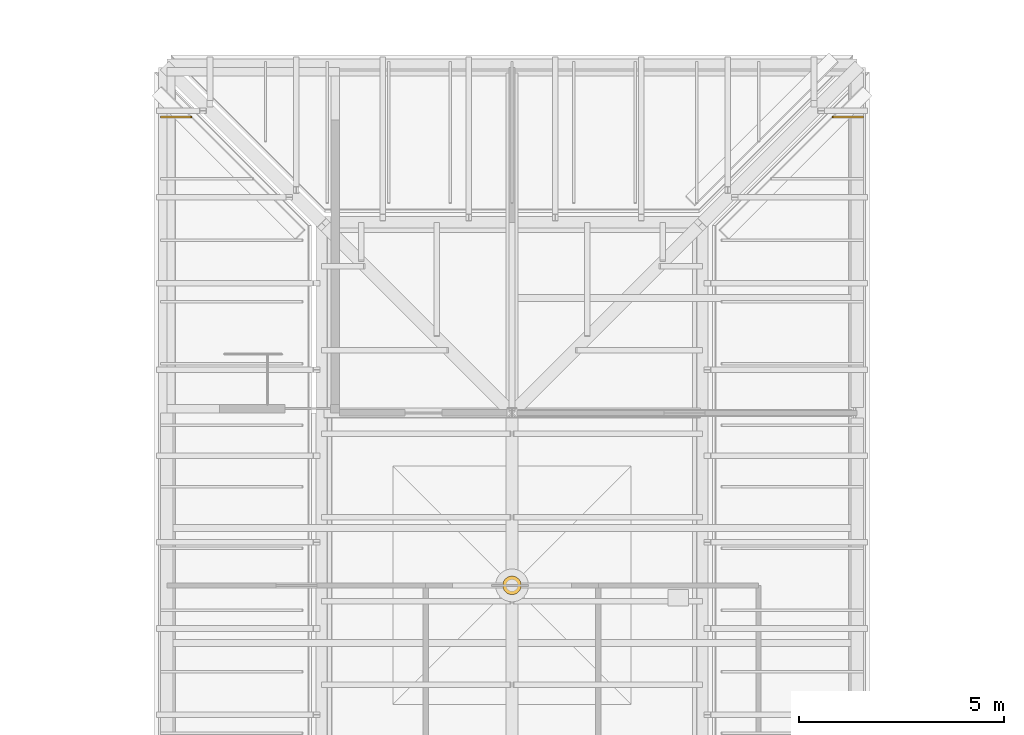
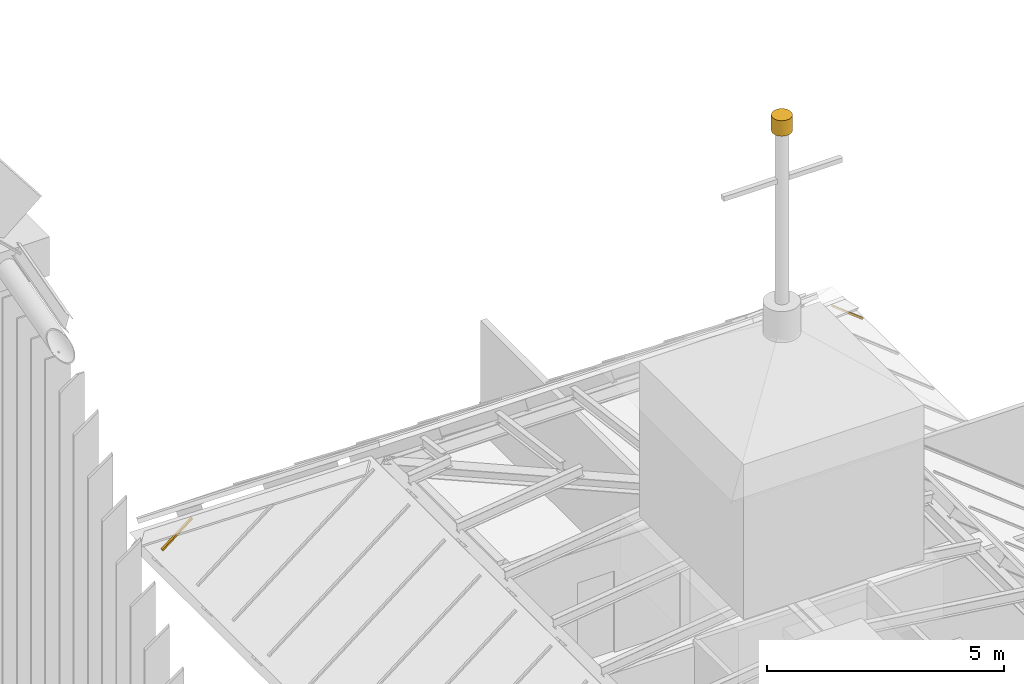
# One storey, part 124 of 126: 3 coverings.
"""IFC4 building model written with IfcOpenShell, lengths in metres."""

from ifc_helpers import new_model, si_unit, direction, frame, origin, origin_2d, place, context, subcontext, project, spatial, polyline, circle, outline, extrude, material, layer, layer_set, type_object, element, save


model = new_model("IFC4")

# Units and contexts
model_context = context("Model", 3, precision=1e-05, world=origin(), true_north=direction((0.0, 1.0)))
body_context = subcontext(model_context, "Body", "Model", "MODEL_VIEW")
ifc_project = project(units=[si_unit("LENGTHUNIT", "METRE"), si_unit("AREAUNIT", "SQUARE_METRE"), si_unit("VOLUMEUNIT", "CUBIC_METRE"), si_unit("PLANEANGLEUNIT", "RADIAN"), si_unit("MASSUNIT", "GRAM", prefix="KILO")], contexts=[model_context])

# Site, building, storey
site_placement = place(None, origin())
site = spatial("IfcSite", under=ifc_project, at=site_placement, CompositionType="ELEMENT")
building_placement = place(site_placement, origin())
building = spatial("IfcBuilding", under=site, at=building_placement, Name="Sava Quay Ferry Terminal", CompositionType="ELEMENT")
storey_placement = place(building_placement, frame((0.0, 0.0, 15.0)))
storey = spatial("IfcBuildingStorey", under=building, at=storey_placement, Name="L03", CompositionType="ELEMENT", Elevation=15.0)

# Coverings
ifc_material_1 = material(Name="Zinc standing seam")
ifc_layer_1 = layer(ifc_material_1, 0.0400390625)
ifc_layer_set_1 = layer_set([ifc_layer_1], Name="Zinc standing seam")
covering_type_1 = type_object("IfcCoveringType", Name="Roof seam rib 60", PredefinedType="ROOFING", material=ifc_layer_set_1)
covering_1_placement = place(storey_placement, frame((109.353515625, 107.969970703125, 0.635986328125), z_axis=(0.617821551932, 0.0, 0.786318338822), x_axis=(-0.786318338822, 0.0, 0.617821551932)))
element("IfcCovering", 1, at=covering_1_placement, inside=storey, type_object=covering_type_1, Name="Roof seam rib", PredefinedType="ROOFING", context=body_context, shape_type="SweptSolid", body=[
    extrude(outline(polyline([(0.0, 0.0), (0.9345620532652452, 0.0), (0.9345620532652452, -0.06005859375), (0.0, -0.06005859375), (0.0, 0.0)])), origin(), (0.0, 0.0, -1.0), 0.0400390625),
])
covering_2_placement = place(storey_placement, frame((92.246337890625, 108.030029296875, 0.635986328125), z_axis=(-0.617694660677, 0.0, 0.786418022537), x_axis=(0.786418022537, 0.0, 0.617694660677)))
element("IfcCovering", 2, at=covering_2_placement, inside=storey, type_object=covering_type_1, Name="Roof seam rib", PredefinedType="ROOFING", context=body_context, shape_type="SweptSolid", body=[
    extrude(outline(polyline([(0.0, 0.0), (0.9347540376856062, 0.0), (0.9347540376856062, -0.06005859375), (0.0, -0.06005859375), (0.0, 0.0)])), origin(), (0.0, 0.0, -1.0), 0.0400390625),
])
ifc_material_2 = material(Name="Steel S355", Category="steel")
ifc_layer_2 = layer(ifc_material_2, 0.449951171875)
ifc_layer_set_2 = layer_set([ifc_layer_2], Name="Steel S355")
covering_type_2 = type_object("IfcCoveringType", Name="Signal mast finial 450", PredefinedType="MOLDING", material=ifc_layer_set_2)
covering_3_placement = place(storey_placement, frame((100.800048828125, 96.60009765625, 15.770751953125), z_axis=(0.0, 0.0, -1.0), x_axis=(1.0, 0.0, 0.0)))
element("IfcCovering", 3, at=covering_3_placement, inside=storey, type_object=covering_type_2, Name="Signal mast finial", PredefinedType="MOLDING", context=body_context, shape_type="SweptSolid", body=[
    extrude(circle(Radius=0.22509765625, at=origin_2d()), origin(), (0.0, 0.0, 1.0), 0.39990234375),
])

save(model, "model.ifc")
